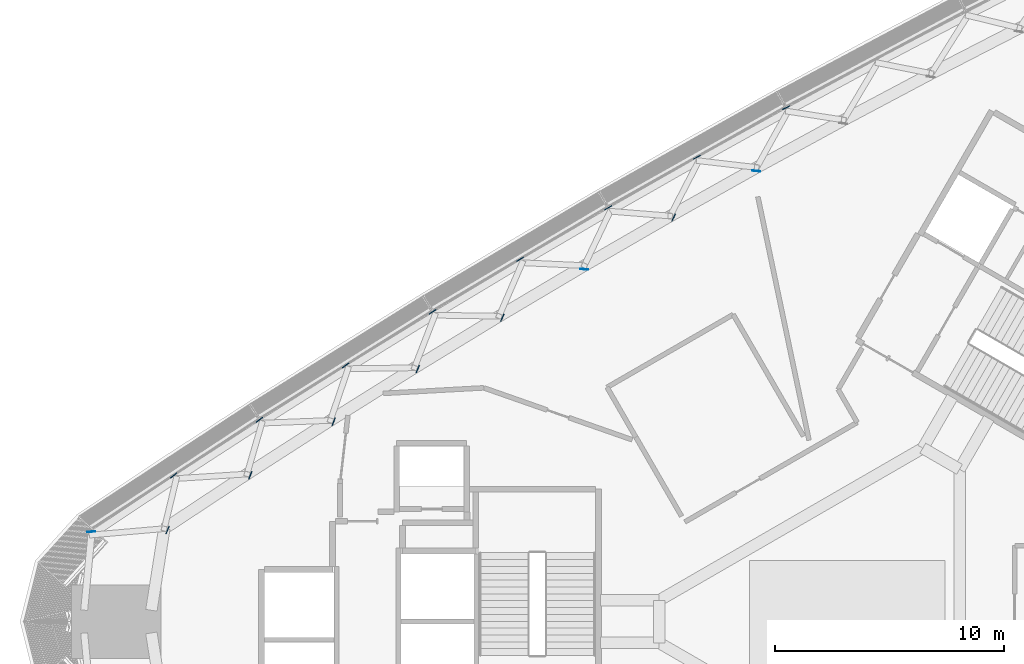
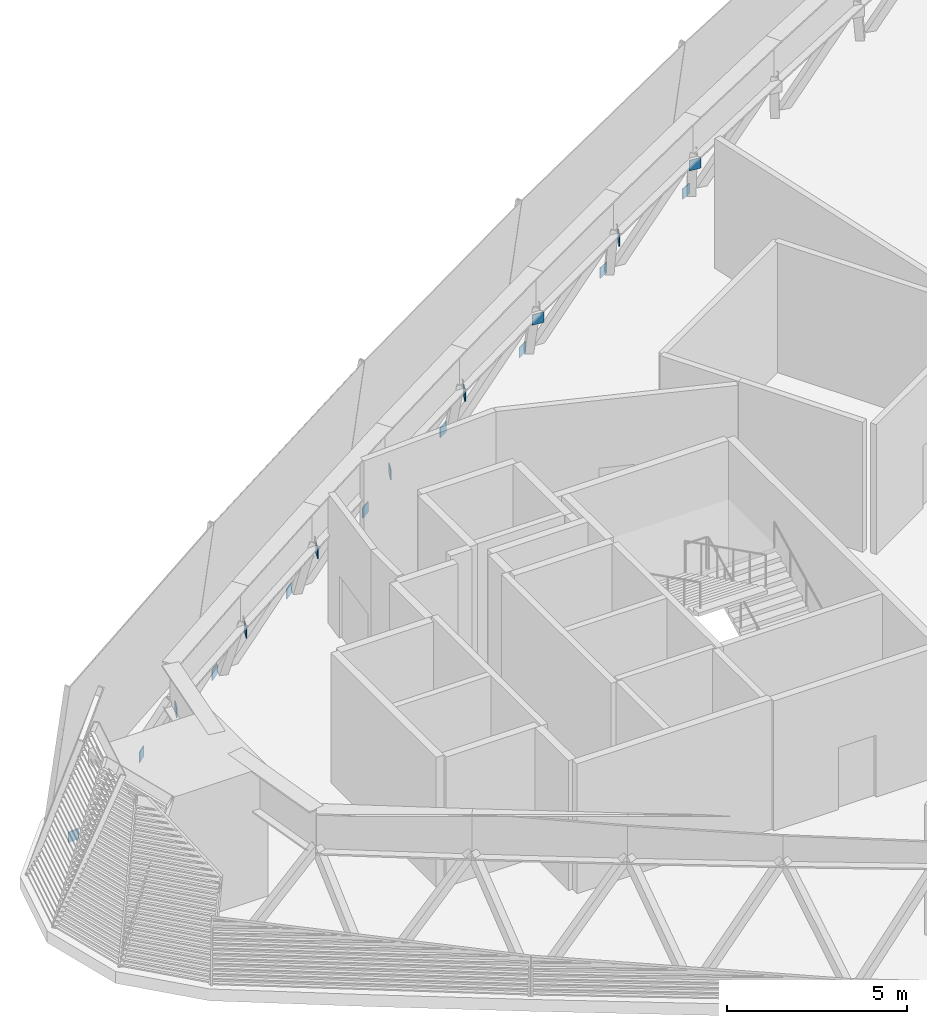
# One storey, part 8 of 17: 17 plates.
"""IFC4 building model written with IfcOpenShell, lengths in metres."""

from ifc_helpers import new_model, si_unit, direction, frame, origin, origin_2d, place, context, subcontext, project, spatial, rectangle, extrude, material, layer, layer_set, type_object, element, save


model = new_model("IFC4")

# Units and contexts
model_context = context("Model", 3, precision=1e-05, world=origin(), true_north=direction((0.0, 1.0)))
body_context = subcontext(model_context, "Body", "Model", "MODEL_VIEW")
ifc_project = project(units=[si_unit("LENGTHUNIT", "METRE"), si_unit("AREAUNIT", "SQUARE_METRE"), si_unit("VOLUMEUNIT", "CUBIC_METRE"), si_unit("PLANEANGLEUNIT", "RADIAN"), si_unit("MASSUNIT", "GRAM", prefix="KILO")], contexts=[model_context])

# Site, building, storey
site_placement = place(None, origin())
site = spatial("IfcSite", under=ifc_project, at=site_placement, CompositionType="ELEMENT")
building_placement = place(site_placement, origin())
building = spatial("IfcBuilding", under=site, at=building_placement, Name="Tamra Quay Hotel Tower", CompositionType="ELEMENT")
storey_placement = place(building_placement, frame((0.0, 0.0, 119.0)))
storey = spatial("IfcBuildingStorey", under=building, at=storey_placement, Name="L29", CompositionType="ELEMENT", Elevation=119.0)

# Plates
ifc_material = material(Name="Structural steel IS 2062 E350", Category="steel")
ifc_layer = layer(ifc_material, 0.030029296875)
ifc_layer_set = layer_set([ifc_layer], Name="BRACE END PLATE 30")
plate_type = type_object("IfcPlateType", Name="BRACE END PLATE 30", PredefinedType="SHEET", material=ifc_layer_set)
for number, where, z_axis, x_axis, name in (
    (1, (-2.658203125, 22.406005859375, -0.400146484375), (0.0, 0.0, 1.0), (-0.43882914777, 0.898570519808, 0.0), "BEP-L29-018"),
    (2, (-6.550048828125, 20.24658203125, -0.400146484375), (0.0, 0.0, 1.0), (-0.469758170416, 0.882795141201, 0.0), "BEP-L29-019"),
    (3, (-10.4169921875, 18.042724609375, -0.400146484375), (0.0, 0.0, 1.0), (-0.500009068969, 0.866020167749, 0.0), "BEP-L29-020"),
    (4, (-14.259033203125, 15.7958984375, -0.400146484375), (0.0, 0.0, 1.0), (-0.529642452985, 0.848221004218, 0.0), "BEP-L29-021"),
    (5, (-18.0751953125, 13.5048828125, -0.400146484375), (0.0, 0.0, 1.0), (-0.558776113109, 0.829318548821, 0.0), "BEP-L29-022"),
    (6, (-21.864990234375, 11.170654296875, -0.400146484375), (0.0, 0.0, 1.0), (-0.587576256533, 0.809168797445, 0.0), "BEP-L29-023"),
    (7, (-25.6279296875, 8.79296875, -0.400146484375), (0.0, 0.0, 1.0), (-0.615925505691, 0.787804399225, 0.0), "BEP-L29-024"),
    (8, (-29.363525390625, 6.372314453125, -0.400146484375), (0.0, 0.0, 1.0), (-0.643983439778, 0.765039429894, 0.0), "BEP-L29-025"),
    (9, (-32.963623046875, 3.916015625, -0.400146484375), (0.0, 0.0, 1.0), (-0.08678018001, 0.996227484241, 0.0), "BEP-L29-026"),
    (10, (-3.960205078125, 19.645751953125, 2.64990234375), (0.0, 0.0, 1.0), (0.102138010943, 0.994770238156, 0.0), "BEP-L29-056"),
    (11, (-7.567138671875, 17.61474609375, 2.64990234375), (0.0, 0.0, 1.0), (-0.906640903806, 0.421903154225, 0.0), "BEP-L29-057"),
    (12, (-11.47119140625, 15.360595703125, 2.64990234375), (0.0, 0.0, 1.0), (0.087934648136, 0.996126245843, 0.0), "BEP-L29-058"),
    (13, (-15.03369140625, 13.252685546875, 2.64990234375), (0.0, 0.0, 1.0), (-0.912567443788, 0.408926228723, 0.0), "BEP-L29-059"),
    (14, (-18.723388671875, 11.008056640625, 2.64990234375), (0.0, 0.0, 1.0), (-0.925809243152, 0.377991065099, 0.0), "BEP-L29-060"),
    (15, (-22.38671875, 8.719482421875, 2.64990234375), (0.0, 0.0, 1.0), (-0.938149042745, 0.346231676189, 0.0), "BEP-L29-061"),
    (16, (-26.02197265625, 6.37841796875, 2.64990234375), (0.0, 0.0, 1.0), (-0.931818602845, 0.362924360429, 0.0), "BEP-L29-062"),
    (17, (-29.62939453125, 3.99462890625, 2.64990234375), (0.0, 0.0, 1.0), (-0.925475064417, 0.378808533618, 0.0), "BEP-L29-063"),
):
    element("IfcPlate", number, at=place(storey_placement, frame(where, z_axis=z_axis, x_axis=x_axis)), inside=storey, type_object=plate_type, Name=name, PredefinedType="SHEET", context=body_context, shape_type="SweptSolid", body=[
        extrude(rectangle(XDim=0.030029296875, YDim=0.35009765625, at=origin_2d()), origin(), (0.0, 0.0, 1.0), 0.35009765625),
    ])

save(model, "model.ifc")
